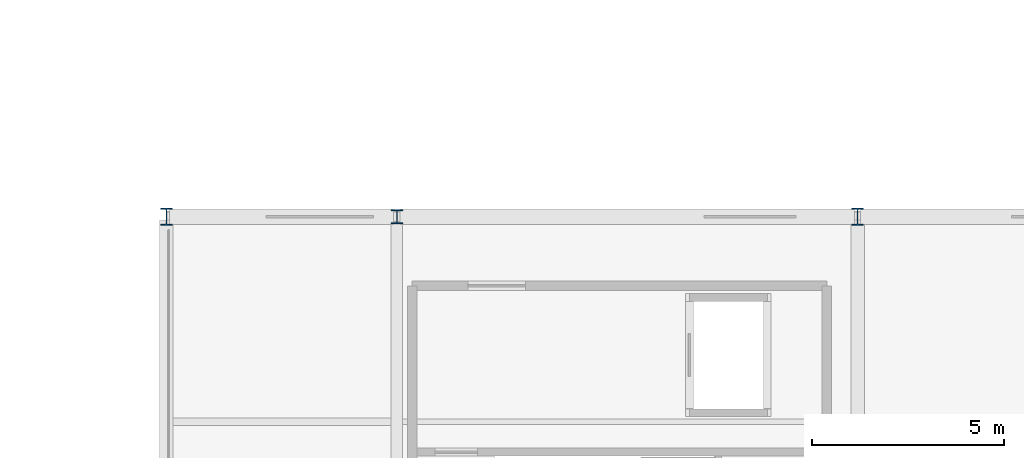
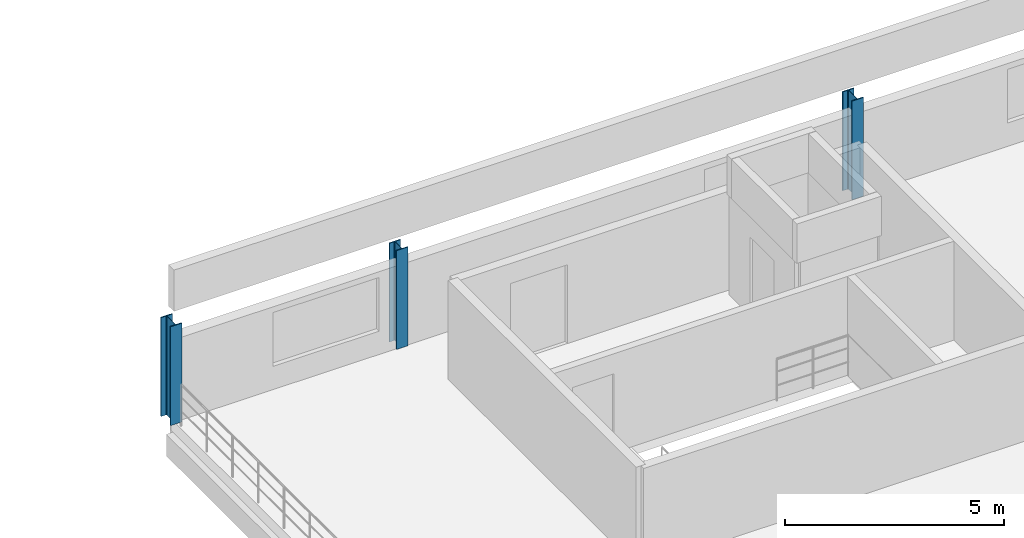
# One storey, part 20 of 89: 3 columns.
"""IFC4 building model written with IfcOpenShell, lengths in metres."""

from ifc_helpers import new_model, si_unit, direction, frame, origin, origin_2d, place, context, subcontext, project, spatial, i_section, extrude, material, material_profile, profile_set, type_object, element, save


model = new_model("IFC4")

# Units and contexts
model_context = context("Model", 3, precision=1e-05, world=origin(), true_north=direction((0.0, 1.0)))
body_context = subcontext(model_context, "Body", "Model", "MODEL_VIEW")
ifc_project = project(units=[si_unit("LENGTHUNIT", "METRE"), si_unit("AREAUNIT", "SQUARE_METRE"), si_unit("VOLUMEUNIT", "CUBIC_METRE"), si_unit("PLANEANGLEUNIT", "RADIAN"), si_unit("MASSUNIT", "GRAM", prefix="KILO"), si_unit("THERMODYNAMICTEMPERATUREUNIT", "KELVIN"), si_unit("POWERUNIT", "WATT")], contexts=[model_context])

# Site, building, storey
site_placement = place(None, origin())
site = spatial("IfcSite", under=ifc_project, at=site_placement, CompositionType="ELEMENT")
building_placement = place(site_placement, origin())
building = spatial("IfcBuilding", under=site, at=building_placement, Name="Solmara Park Aquatics Centre", CompositionType="ELEMENT")
storey_placement = place(building_placement, frame((0.0, 0.0, 5.39990234375)))
storey = spatial("IfcBuildingStorey", under=building, at=storey_placement, Name="L01", CompositionType="ELEMENT", Elevation=5.39990234375)

# Columns
ifc_material = material(Name="Structural Steel S355", Category="steel")
ifc_material_profile_1 = material_profile(ifc_material, i_section(OverallWidth=0.300048828125, OverallDepth=0.449951171875, WebThickness=0.013916015625, FlangeThickness=0.02587890625, FilletRadius=0.027099609375, at=origin_2d()), Name="HEB 450")
ifc_profile_set_1 = profile_set([ifc_material_profile_1], Name="Structural Steel S355")
column_type_1 = type_object("IfcColumnType", Name="STR-COL-HEB450", PredefinedType="COLUMN", material=ifc_profile_set_1)
for number, where, z_axis, x_axis, name in (
    (1, (162.0, 76.60009765625, 0.0), (0.0, 0.0, 1.0), (1.0, 0.0, 0.0), "Column L01-0443"),
    (2, (180.0, 76.60009765625, 0.0), (0.0, 0.0, 1.0), (1.0, 0.0, 0.0), "Column L01-0455"),
):
    element("IfcColumn", number, at=place(storey_placement, frame(where, z_axis=z_axis, x_axis=x_axis)), inside=storey, type_object=column_type_1, Name=name, PredefinedType="COLUMN", context=body_context, shape_type="SweptSolid", body=[
        extrude(i_section(OverallWidth=0.300048828125, OverallDepth=0.449951171875, WebThickness=0.013916015625, FlangeThickness=0.02587890625, FilletRadius=0.027099609375, at=origin_2d()), origin(), (0.0, 0.0, 1.0), 2.760009765625),
    ])
ifc_material_profile_2 = material_profile(ifc_material, i_section(OverallWidth=0.300048828125, OverallDepth=0.360107421875, WebThickness=0.012451171875, FlangeThickness=0.0224609375, FilletRadius=0.027099609375, at=origin_2d()), Name="HEB 360")
ifc_profile_set_2 = profile_set([ifc_material_profile_2], Name="Structural Steel S355")
column_type_2 = type_object("IfcColumnType", Name="STR-PIL-HEB360", PredefinedType="PILASTER", material=ifc_profile_set_2)
column_placement = place(storey_placement, frame((168.0, 76.60009765625, 0.0), z_axis=(0.0, 0.0, 1.0), x_axis=(1.0, 0.0, 0.0)))
element("IfcColumn", 3, at=column_placement, inside=storey, type_object=column_type_2, Name="Column L01-0450", PredefinedType="PILASTER", context=body_context, shape_type="SweptSolid", body=[
    extrude(i_section(OverallWidth=0.300048828125, OverallDepth=0.360107421875, WebThickness=0.012451171875, FlangeThickness=0.0224609375, FilletRadius=0.027099609375, at=origin_2d()), origin(), (0.0, 0.0, 1.0), 2.760009765625),
])

save(model, "model.ifc")
